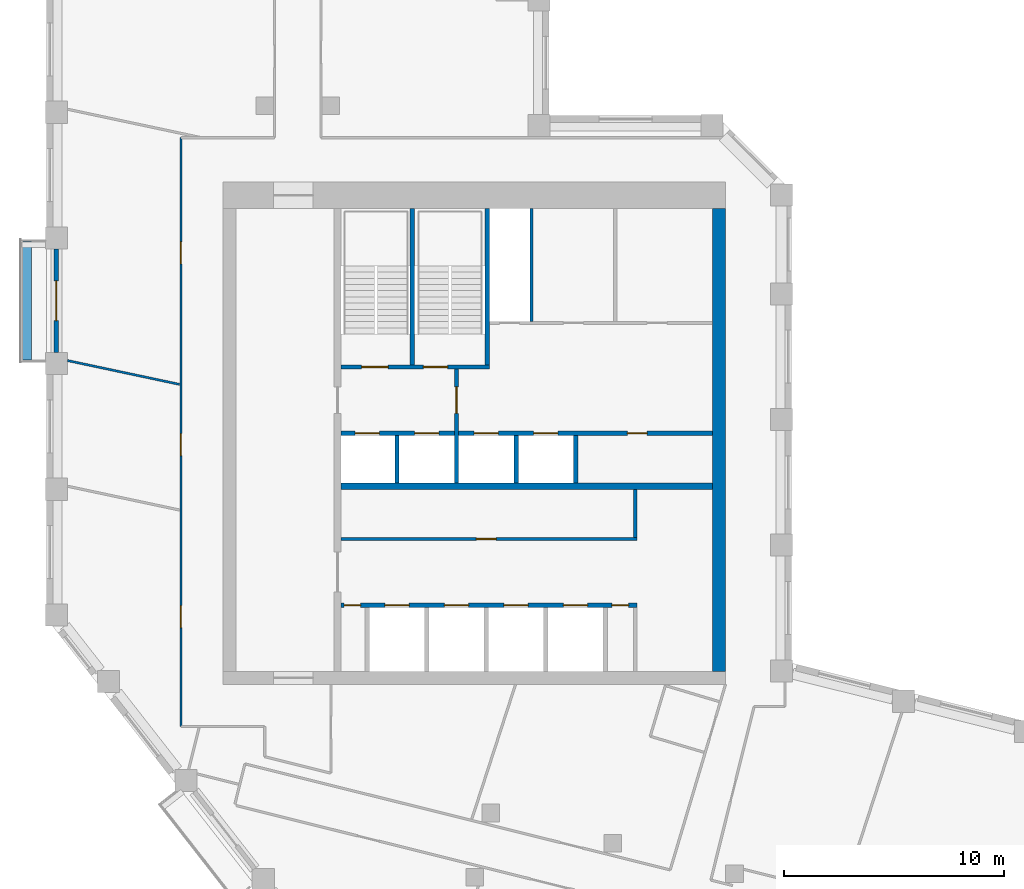
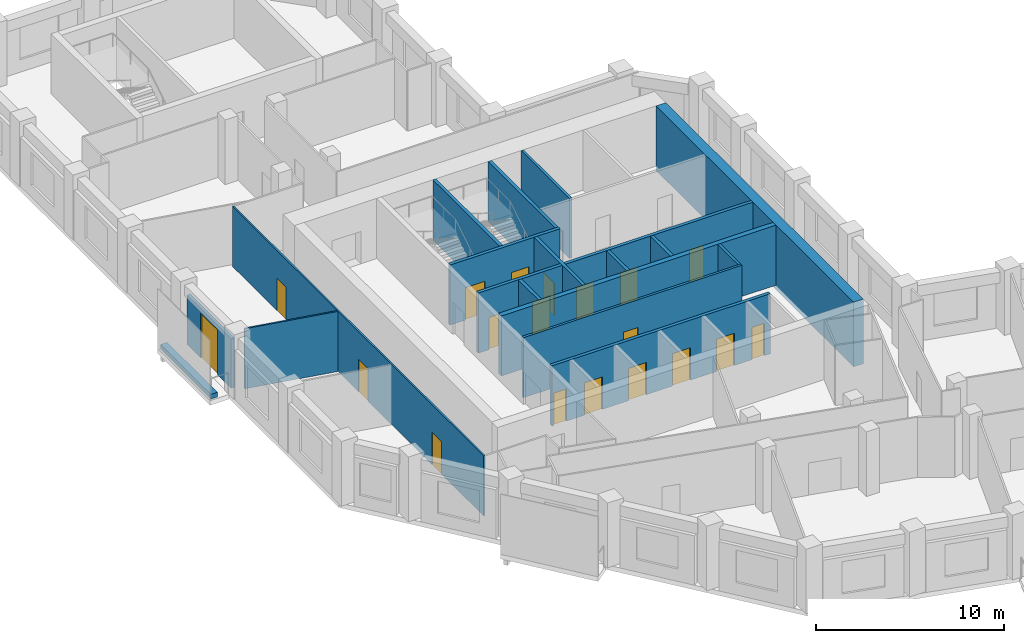
# One storey, part 5 of 9: 19 doors, 18 walls, 19 openings.
"""IFC4 building model written with IfcOpenShell, lengths in metres."""

from ifc_helpers import new_model, si_unit, direction, frame, frame_2d, origin, place, context, subcontext, project, spatial, rectangle, extrude, material, layer, layer_set, type_object, element, fill, save


model = new_model("IFC4")

# Units and contexts
model_context = context("Model", 3, precision=1e-05, world=origin(), true_north=direction((0.0, 1.0)))
body_context = subcontext(model_context, "Body", "Model", "MODEL_VIEW")
ifc_project = project(units=[si_unit("LENGTHUNIT", "METRE"), si_unit("AREAUNIT", "SQUARE_METRE"), si_unit("VOLUMEUNIT", "CUBIC_METRE"), si_unit("PLANEANGLEUNIT", "RADIAN"), si_unit("MASSUNIT", "GRAM", prefix="KILO")], contexts=[model_context])

# Site, building, storey
site_placement = place(None, origin())
site = spatial("IfcSite", under=ifc_project, at=site_placement, CompositionType="ELEMENT")
building_placement = place(site_placement, origin())
building = spatial("IfcBuilding", under=site, at=building_placement, Name="Meshkara Civic Tower", CompositionType="ELEMENT")
storey_placement = place(building_placement, frame((0.0, 0.0, 327.60009765625)))
storey = spatial("IfcBuildingStorey", under=building, at=storey_placement, Name="L75", CompositionType="ELEMENT", Elevation=327.60009765625)

# Wall, opening, door
ifc_material_1 = material(Name="Blockwork", Category="masonry")
ifc_layer_1 = layer(ifc_material_1, 0.14990234375)
ifc_layer_set_1 = layer_set([ifc_layer_1], Name="Core partition 150")
wall_type_1 = type_object("IfcWallType", Name="Core partition 150", PredefinedType="PARTITIONING", material=ifc_layer_set_1)
wall_1_placement = place(storey_placement, frame((13.35009765625, 20.699951171875, 0.0), z_axis=(0.0, 0.0, 1.0), x_axis=(1.0, 0.0, 0.0)))
wall_1 = element("IfcWall", 1, at=wall_1_placement, inside=storey, type_object=wall_type_1, Name="L75-C006", PredefinedType="PARTITIONING", context=body_context, shape_type="SweptSolid", body=[
    extrude(rectangle(XDim=13.4248046875, YDim=0.14990234375, at=frame_2d((6.71240234375, 0.0))), origin(), (0.0, 0.0, 1.0), 3.89990234375),
])
opening_1_placement = place(wall_1_placement, frame((6.14990234375, 0.0, 0.0)))
opening_1 = element("IfcOpeningElement", 2, at=opening_1_placement, cuts=wall_1, Name="Opening L75-K011", PredefinedType="OPENING", context=body_context, shape_type="SweptSolid", body=[
    extrude(rectangle(XDim=0.89990234375, YDim=2.10009765625, at=frame_2d((0.449951171875, 1.050048828125))), frame((0.0, 0.0849609375, 0.0), z_axis=(0.0, -1.0, 0.0), x_axis=(1.0, 0.0, 0.0)), (0.0, 0.0, 1.0), 0.169921875),
])
ifc_material_2 = material(Name="Timber door leaf in steel frame", Category="steel")
door_type_1 = type_object("IfcDoorType", Name="Core room door 900", OperationType="SINGLE_SWING_LEFT", PredefinedType="DOOR", material=ifc_material_2)
door_1_placement = place(opening_1_placement, origin())
door_1 = element("IfcDoor", 3, at=door_1_placement, inside=storey, type_object=door_type_1, Name="L75-K011", OperationType="SINGLE_SWING_RIGHT", OverallHeight=2.10009765625, OverallWidth=0.89990234375, PredefinedType="DOOR", context=body_context, shape_type="SweptSolid", body=[
    extrude(rectangle(XDim=0.89990234375, YDim=2.10009765625, at=frame_2d((0.449951171875, 1.050048828125))), frame((0.0, 0.02490234375, 0.0), z_axis=(0.0, -1.0, 0.0), x_axis=(1.0, 0.0, 0.0)), (0.0, 0.0, 1.0), 0.050048828125),
])
fill(opening_1, door_1)

# Walls
wall_2_placement = place(storey_placement, frame((22.0, 30.574951171875, 0.0), z_axis=(0.0, 0.0, 1.0), x_axis=(0.0, 1.0, 0.0)))
element("IfcWall", 4, at=wall_2_placement, inside=storey, type_object=wall_type_1, Name="L75-C020", PredefinedType="PARTITIONING", context=body_context, shape_type="SweptSolid", body=[
    extrude(rectangle(XDim=5.125, YDim=0.14990234375, at=frame_2d((2.5625, 0.0))), origin(), (0.0, 0.0, 1.0), 3.89990234375),
])
wall_3_placement = place(storey_placement, frame((26.699951171875, 20.77490234375, 0.0), z_axis=(0.0, 0.0, 1.0), x_axis=(0.0, 1.0, 0.0)))
element("IfcWall", 5, at=wall_3_placement, inside=storey, type_object=wall_type_1, Name="L75-C026", PredefinedType="PARTITIONING", context=body_context, shape_type="SweptSolid", body=[
    extrude(rectangle(XDim=2.175048828125, YDim=0.14990234375, at=frame_2d((1.08740234375, 0.0))), origin(), (0.0, 0.0, 1.0), 3.89990234375),
])
ifc_material_3 = material(Name="Concrete C60", Category="concrete")
ifc_layer_2 = layer(ifc_material_3, 0.60009765625)
ifc_layer_set_2 = layer_set([ifc_layer_2], Name="Core ring wall 600 C60")
wall_type_2 = type_object("IfcWallType", Name="Core ring wall 600 C60", PredefinedType="SHEAR", material=ifc_layer_set_2)
wall_4_placement = place(storey_placement, frame((30.5, 14.699951171875, -0.300048828125), z_axis=(0.0, 0.0, 1.0), x_axis=(0.0, 1.0, 0.0)))
element("IfcWall", 6, at=wall_4_placement, inside=storey, type_object=wall_type_2, Name="L75-C004", PredefinedType="SHEAR", context=body_context, shape_type="SweptSolid", body=[
    extrude(rectangle(XDim=21.0, YDim=0.60009765625, at=frame_2d((10.5, 0.0))), origin(), (0.0, 0.0, 1.0), 4.199951171875),
])
ifc_material_4 = material(Name="Concrete C60", Category="concrete")
ifc_layer_3 = layer(ifc_material_4, 0.300048828125)
ifc_layer_set_3 = layer_set([ifc_layer_3], Name="Core shear wall 300 C60")
wall_type_3 = type_object("IfcWallType", Name="Core shear wall 300 C60", PredefinedType="SHEAR", material=ifc_layer_set_3)
wall_5_placement = place(storey_placement, frame((13.35009765625, 23.10009765625, 0.0), z_axis=(0.0, 0.0, 1.0), x_axis=(1.0, 0.0, 0.0)))
element("IfcWall", 7, at=wall_5_placement, inside=storey, type_object=wall_type_3, Name="L75-C007", PredefinedType="SHEAR", context=body_context, shape_type="SweptSolid", body=[
    extrude(rectangle(XDim=16.849853515625, YDim=0.300048828125, at=frame_2d((8.4248046875, 0.0))), origin(), (0.0, 0.0, 1.0), 3.89990234375),
])

# Wall, openings, doors
ifc_material_5 = material(Name="Corridor wall 100")
ifc_layer_4 = layer(ifc_material_5, 0.10009765625)
ifc_layer_set_4 = layer_set([ifc_layer_4], Name="Corridor wall 100")
wall_type_4 = type_object("IfcWallType", Name="Corridor wall 100", PredefinedType="PARTITIONING", material=ifc_layer_set_4)
wall_6_placement = place(storey_placement, frame((6.10009765625, 12.199951171875, 0.0), z_axis=(0.0, 0.0, 1.0), x_axis=(0.0, 1.0, 0.0)))
wall_6 = element("IfcWall", 8, at=wall_6_placement, inside=storey, type_object=wall_type_4, Name="L75-W004", PredefinedType="PARTITIONING", context=body_context, shape_type="SweptSolid", body=[
    extrude(rectangle(XDim=26.699951171875, YDim=0.10009765625, at=frame_2d((13.35009765625, 0.0))), origin(), (0.0, 0.0, 1.0), 3.89990234375),
])
opening_2_placement = place(wall_6_placement, frame((4.47998046875, 0.0, 0.0)))
opening_2 = element("IfcOpeningElement", 9, at=opening_2_placement, cuts=wall_6, Name="Opening L75-D012", PredefinedType="OPENING", context=body_context, shape_type="SweptSolid", body=[
    extrude(rectangle(XDim=1.0, YDim=2.10009765625, at=frame_2d((0.5, 1.050048828125))), frame((0.0, 0.06005859375, 0.0), z_axis=(0.0, -1.0, 0.0), x_axis=(1.0, 0.0, 0.0)), (0.0, 0.0, 1.0), 0.1201171875),
])
opening_3_placement = place(wall_6_placement, frame((12.279052734375, 0.0, 0.0)))
opening_3 = element("IfcOpeningElement", 10, at=opening_3_placement, cuts=wall_6, Name="Opening L75-D015", PredefinedType="OPENING", context=body_context, shape_type="SweptSolid", body=[
    extrude(rectangle(XDim=1.0, YDim=2.10009765625, at=frame_2d((0.5, 1.050048828125))), frame((0.0, 0.06005859375, 0.0), z_axis=(0.0, -1.0, 0.0), x_axis=(1.0, 0.0, 0.0)), (0.0, 0.0, 1.0), 0.1201171875),
])
opening_4_placement = place(wall_6_placement, frame((20.97900390625, 0.0, 0.0)))
opening_4 = element("IfcOpeningElement", 11, at=opening_4_placement, cuts=wall_6, Name="Opening L75-D016", PredefinedType="OPENING", context=body_context, shape_type="SweptSolid", body=[
    extrude(rectangle(XDim=1.0, YDim=2.10009765625, at=frame_2d((0.5, 1.050048828125))), frame((0.0, 0.06005859375, 0.0), z_axis=(0.0, -1.0, 0.0), x_axis=(1.0, 0.0, 0.0)), (0.0, 0.0, 1.0), 0.1201171875),
])
ifc_material_6 = material(Name="Door 1000 x 2100")
door_type_2 = type_object("IfcDoorType", Name="Door 1000 x 2100", OperationType="SINGLE_SWING_LEFT", PredefinedType="DOOR", material=ifc_material_6)
door_2_placement = place(opening_2_placement, origin())
door_2 = element("IfcDoor", 12, at=door_2_placement, inside=storey, type_object=door_type_2, Name="L75-D012", OperationType="SINGLE_SWING_RIGHT", OverallHeight=2.10009765625, OverallWidth=1.0, PredefinedType="DOOR", context=body_context, shape_type="SweptSolid", body=[
    extrude(rectangle(XDim=1.0, YDim=2.10009765625, at=frame_2d((0.5, 1.050048828125))), frame((0.0, 0.02490234375, 0.0), z_axis=(0.0, -1.0, 0.0), x_axis=(1.0, 0.0, 0.0)), (0.0, 0.0, 1.0), 0.050048828125),
])
fill(opening_2, door_2)
door_3_placement = place(opening_3_placement, origin())
door_3 = element("IfcDoor", 13, at=door_3_placement, inside=storey, type_object=door_type_2, Name="L75-D015", OperationType="SINGLE_SWING_RIGHT", OverallHeight=2.10009765625, OverallWidth=1.0, PredefinedType="DOOR", context=body_context, shape_type="SweptSolid", body=[
    extrude(rectangle(XDim=1.0, YDim=2.10009765625, at=frame_2d((0.5, 1.050048828125))), frame((0.0, 0.02490234375, 0.0), z_axis=(0.0, -1.0, 0.0), x_axis=(1.0, 0.0, 0.0)), (0.0, 0.0, 1.0), 0.050048828125),
])
fill(opening_3, door_3)
door_4_placement = place(opening_4_placement, origin())
door_4 = element("IfcDoor", 14, at=door_4_placement, inside=storey, type_object=door_type_2, Name="L75-D016", OperationType="SINGLE_SWING_RIGHT", OverallHeight=2.10009765625, OverallWidth=1.0, PredefinedType="DOOR", context=body_context, shape_type="SweptSolid", body=[
    extrude(rectangle(XDim=1.0, YDim=2.10009765625, at=frame_2d((0.5, 1.050048828125))), frame((0.0, 0.02490234375, 0.0), z_axis=(0.0, -1.0, 0.0), x_axis=(1.0, 0.0, 0.0)), (0.0, 0.0, 1.0), 0.050048828125),
])
fill(opening_4, door_4)

# Wall, opening, door
ifc_material_7 = material(Name="Insulated infill panel with bronze anodised aluminium cladding", Category="aluminium")
ifc_layer_5 = layer(ifc_material_7, 0.199951171875)
ifc_layer_set_5 = layer_set([ifc_layer_5], Name="LOGGIA BACK WALL 200")
wall_type_5 = type_object("IfcWallType", Name="LOGGIA BACK WALL 200", PredefinedType="SOLIDWALL", material=ifc_layer_set_5)
wall_7_placement = place(storey_placement, frame((0.449951171875, 33.85498046875, 0.0), z_axis=(0.0, 0.0, 1.0), x_axis=(0.0, -1.0, 0.0)))
wall_7 = element("IfcWall", 15, at=wall_7_placement, inside=storey, type_object=wall_type_5, Name="Loggia wall", PredefinedType="SOLIDWALL", context=body_context, shape_type="SweptSolid", body=[
    extrude(rectangle(XDim=4.699951171875, YDim=0.199951171875, at=frame_2d((2.35009765625, 0.0))), origin(), (0.0, 0.0, 1.0), 3.199951171875),
])
opening_5_placement = place(wall_7_placement, frame((1.449951171875, 0.0, 0.0)))
opening_5 = element("IfcOpeningElement", 16, at=opening_5_placement, cuts=wall_7, Name="Opening L75-L001", PredefinedType="OPENING", context=body_context, shape_type="SweptSolid", body=[
    extrude(rectangle(XDim=1.800048828125, YDim=2.89990234375, at=frame_2d((0.89990234375, 1.449951171875))), frame((0.0, 0.10986328125, 0.0), z_axis=(0.0, -1.0, 0.0), x_axis=(1.0, 0.0, 0.0)), (0.0, 0.0, 1.0), 0.219970703125),
])
ifc_material_8 = material(Name="Tinted double glazing", Category="glass")
door_type_3 = type_object("IfcDoorType", Name="LOGGIA DOOR 1800x2900", OperationType="DOUBLE_DOOR_SINGLE_SWING", PredefinedType="DOOR", material=ifc_material_8)
door_5_placement = place(opening_5_placement, origin())
door_5 = element("IfcDoor", 17, at=door_5_placement, inside=storey, type_object=door_type_3, Name="L75-L001", OperationType="DOUBLE_DOOR_SINGLE_SWING", OverallHeight=2.89990234375, OverallWidth=1.800048828125, PredefinedType="DOOR", context=body_context, shape_type="SweptSolid", body=[
    extrude(rectangle(XDim=1.800048828125, YDim=2.89990234375, at=frame_2d((0.89990234375, 1.449951171875))), frame((0.0, 0.02490234375, 0.0), z_axis=(0.0, -1.0, 0.0), x_axis=(1.0, 0.0, 0.0)), (0.0, 0.0, 1.0), 0.050048828125),
])
fill(opening_5, door_5)

# Walls
ifc_material_9 = material(Name="Concrete C40", Category="concrete")
ifc_layer_6 = layer(ifc_material_9, 0.39990234375)
ifc_layer_set_6 = layer_set([ifc_layer_6], Name="PLANTER TRAY")
wall_type_6 = type_object("IfcWallType", Name="PLANTER TRAY", PredefinedType="SOLIDWALL", material=ifc_layer_set_6)
wall_8_placement = place(storey_placement, frame((-0.8798828125, 34.18505859375, 0.0), z_axis=(0.0, 0.0, 1.0), x_axis=(0.0, -1.0, 0.0)))
element("IfcWall", 18, at=wall_8_placement, inside=storey, type_object=wall_type_6, Name="Planter", PredefinedType="SOLIDWALL", context=body_context, shape_type="SweptSolid", body=[
    extrude(rectangle(XDim=5.360107421875, YDim=0.39990234375, at=frame_2d((2.68017578125, 0.0))), origin(), (0.0, 0.0, 1.0), 0.2998046875),
])
ifc_material_10 = material(Name="Partition 100")
ifc_layer_7 = layer(ifc_material_10, 0.10009765625)
ifc_layer_set_7 = layer_set([ifc_layer_7], Name="Partition 100")
wall_type_7 = type_object("IfcWallType", Name="Partition 100", PredefinedType="PARTITIONING", material=ifc_layer_set_7)
wall_9_placement = place(storey_placement, frame((6.0400390625, 27.7119140625, 0.0), z_axis=(0.0, 0.0, 1.0), x_axis=(-0.978143705428, 0.207930015946, 0.0)))
element("IfcWall", 19, at=wall_9_placement, inside=storey, type_object=wall_type_7, Name="L75-W044", PredefinedType="PARTITIONING", context=body_context, shape_type="SweptSolid", body=[
    extrude(rectangle(XDim=5.203857421875, YDim=0.10009765625, at=frame_2d((2.60205078125, 0.0))), origin(), (0.0, 0.0, 1.0), 3.89990234375),
])

# Wall, openings, doors
ifc_material_11 = material(Name="Concrete C40/50", Category="concrete")
ifc_layer_8 = layer(ifc_material_11, 0.199951171875)
ifc_layer_set_8 = layer_set([ifc_layer_8], Name="Shaft wall 200 C40/50")
wall_type_8 = type_object("IfcWallType", Name="Shaft wall 200 C40/50", PredefinedType="SOLIDWALL", material=ifc_layer_set_8)
wall_10_placement = place(storey_placement, frame((13.35009765625, 17.699951171875, 0.0), z_axis=(0.0, 0.0, 1.0), x_axis=(1.0, 0.0, 0.0)))
wall_10 = element("IfcWall", 20, at=wall_10_placement, inside=storey, type_object=wall_type_8, Name="L75-C005", PredefinedType="SOLIDWALL", context=body_context, shape_type="SweptSolid", body=[
    extrude(rectangle(XDim=13.4248046875, YDim=0.199951171875, at=frame_2d((6.71240234375, 0.0))), origin(), (0.0, 0.0, 1.0), 3.89990234375),
])
opening_6_placement = place(wall_10_placement, frame((2.0, 0.0, 0.0)))
opening_6 = element("IfcOpeningElement", 21, at=opening_6_placement, cuts=wall_10, Name="Opening L75-K001", PredefinedType="OPENING", context=body_context, shape_type="SweptSolid", body=[
    extrude(rectangle(XDim=1.10009765625, YDim=2.10009765625, at=frame_2d((0.550048828125, 1.050048828125))), frame((0.0, 0.10986328125, 0.0), z_axis=(0.0, -1.0, 0.0), x_axis=(1.0, 0.0, 0.0)), (0.0, 0.0, 1.0), 0.219970703125),
])
opening_7_placement = place(wall_10_placement, frame((4.699951171875, 0.0, 0.0)))
opening_7 = element("IfcOpeningElement", 22, at=opening_7_placement, cuts=wall_10, Name="Opening L75-K002", PredefinedType="OPENING", context=body_context, shape_type="SweptSolid", body=[
    extrude(rectangle(XDim=1.10009765625, YDim=2.10009765625, at=frame_2d((0.550048828125, 1.050048828125))), frame((0.0, 0.10986328125, 0.0), z_axis=(0.0, -1.0, 0.0), x_axis=(1.0, 0.0, 0.0)), (0.0, 0.0, 1.0), 0.219970703125),
])
opening_8_placement = place(wall_10_placement, frame((7.39990234375, 0.0, 0.0)))
opening_8 = element("IfcOpeningElement", 23, at=opening_8_placement, cuts=wall_10, Name="Opening L75-K003", PredefinedType="OPENING", context=body_context, shape_type="SweptSolid", body=[
    extrude(rectangle(XDim=1.10009765625, YDim=2.10009765625, at=frame_2d((0.550048828125, 1.050048828125))), frame((0.0, 0.10986328125, 0.0), z_axis=(0.0, -1.0, 0.0), x_axis=(1.0, 0.0, 0.0)), (0.0, 0.0, 1.0), 0.219970703125),
])
opening_9_placement = place(wall_10_placement, frame((10.10009765625, 0.0, 0.0)))
opening_9 = element("IfcOpeningElement", 24, at=opening_9_placement, cuts=wall_10, Name="Opening L75-K004", PredefinedType="OPENING", context=body_context, shape_type="SweptSolid", body=[
    extrude(rectangle(XDim=1.10009765625, YDim=2.10009765625, at=frame_2d((0.550048828125, 1.050048828125))), frame((0.0, 0.10986328125, 0.0), z_axis=(0.0, -1.0, 0.0), x_axis=(1.0, 0.0, 0.0)), (0.0, 0.0, 1.0), 0.219970703125),
])
opening_10_placement = place(wall_10_placement, frame((0.14990234375, 0.0, 0.0)))
opening_10 = element("IfcOpeningElement", 25, at=opening_10_placement, cuts=wall_10, Name="Opening L75-K009", PredefinedType="OPENING", context=body_context, shape_type="SweptSolid", body=[
    extrude(rectangle(XDim=0.75, YDim=2.10009765625, at=frame_2d((0.375, 1.050048828125))), frame((0.0, 0.10986328125, 0.0), z_axis=(0.0, -1.0, 0.0), x_axis=(1.0, 0.0, 0.0)), (0.0, 0.0, 1.0), 0.219970703125),
])
opening_11_placement = place(wall_10_placement, frame((12.300048828125, 0.0, 0.0)))
opening_11 = element("IfcOpeningElement", 26, at=opening_11_placement, cuts=wall_10, Name="Opening L75-K010", PredefinedType="OPENING", context=body_context, shape_type="SweptSolid", body=[
    extrude(rectangle(XDim=0.75, YDim=2.10009765625, at=frame_2d((0.375, 1.050048828125))), frame((0.0, 0.10986328125, 0.0), z_axis=(0.0, -1.0, 0.0), x_axis=(1.0, 0.0, 0.0)), (0.0, 0.0, 1.0), 0.219970703125),
])
ifc_material_12 = material(Name="Timber door leaf in steel frame", Category="steel")
door_type_4 = type_object("IfcDoorType", Name="Core room door 750", OperationType="SINGLE_SWING_LEFT", PredefinedType="DOOR", material=ifc_material_12)
door_6_placement = place(opening_10_placement, origin())
door_6 = element("IfcDoor", 27, at=door_6_placement, inside=storey, type_object=door_type_4, Name="L75-K009", OperationType="SINGLE_SWING_RIGHT", OverallHeight=2.10009765625, OverallWidth=0.75, PredefinedType="DOOR", context=body_context, shape_type="SweptSolid", body=[
    extrude(rectangle(XDim=0.75, YDim=2.10009765625, at=frame_2d((0.375, 1.050048828125))), frame((0.0, 0.02490234375, 0.0), z_axis=(0.0, -1.0, 0.0), x_axis=(1.0, 0.0, 0.0)), (0.0, 0.0, 1.0), 0.050048828125),
])
fill(opening_10, door_6)
door_7_placement = place(opening_11_placement, origin())
door_7 = element("IfcDoor", 28, at=door_7_placement, inside=storey, type_object=door_type_4, Name="L75-K010", OperationType="SINGLE_SWING_RIGHT", OverallHeight=2.10009765625, OverallWidth=0.75, PredefinedType="DOOR", context=body_context, shape_type="SweptSolid", body=[
    extrude(rectangle(XDim=0.75, YDim=2.10009765625, at=frame_2d((0.375, 1.050048828125))), frame((0.0, 0.02490234375, 0.0), z_axis=(0.0, -1.0, 0.0), x_axis=(1.0, 0.0, 0.0)), (0.0, 0.0, 1.0), 0.050048828125),
])
fill(opening_11, door_7)
ifc_material_13 = material(Name="Stainless steel landing door", Category="steel")
door_type_5 = type_object("IfcDoorType", Name="Lift landing door 1100", OperationType="SLIDING_TO_LEFT", PredefinedType="DOOR", material=ifc_material_13)
door_8_placement = place(opening_6_placement, origin())
door_8 = element("IfcDoor", 29, at=door_8_placement, inside=storey, type_object=door_type_5, Name="L75-K001", OperationType="SLIDING_TO_LEFT", OverallHeight=2.10009765625, OverallWidth=1.10009765625, PredefinedType="DOOR", context=body_context, shape_type="SweptSolid", body=[
    extrude(rectangle(XDim=1.10009765625, YDim=2.10009765625, at=frame_2d((0.550048828125, 1.050048828125))), frame((0.0, 0.02490234375, 0.0), z_axis=(0.0, -1.0, 0.0), x_axis=(1.0, 0.0, 0.0)), (0.0, 0.0, 1.0), 0.050048828125),
])
fill(opening_6, door_8)
door_9_placement = place(opening_7_placement, origin())
door_9 = element("IfcDoor", 30, at=door_9_placement, inside=storey, type_object=door_type_5, Name="L75-K002", OperationType="SLIDING_TO_LEFT", OverallHeight=2.10009765625, OverallWidth=1.10009765625, PredefinedType="DOOR", context=body_context, shape_type="SweptSolid", body=[
    extrude(rectangle(XDim=1.10009765625, YDim=2.10009765625, at=frame_2d((0.550048828125, 1.050048828125))), frame((0.0, 0.02490234375, 0.0), z_axis=(0.0, -1.0, 0.0), x_axis=(1.0, 0.0, 0.0)), (0.0, 0.0, 1.0), 0.050048828125),
])
fill(opening_7, door_9)
door_10_placement = place(opening_8_placement, origin())
door_10 = element("IfcDoor", 31, at=door_10_placement, inside=storey, type_object=door_type_5, Name="L75-K003", OperationType="SLIDING_TO_LEFT", OverallHeight=2.10009765625, OverallWidth=1.10009765625, PredefinedType="DOOR", context=body_context, shape_type="SweptSolid", body=[
    extrude(rectangle(XDim=1.10009765625, YDim=2.10009765625, at=frame_2d((0.550048828125, 1.050048828125))), frame((0.0, 0.02490234375, 0.0), z_axis=(0.0, -1.0, 0.0), x_axis=(1.0, 0.0, 0.0)), (0.0, 0.0, 1.0), 0.050048828125),
])
fill(opening_8, door_10)
door_11_placement = place(opening_9_placement, origin())
door_11 = element("IfcDoor", 32, at=door_11_placement, inside=storey, type_object=door_type_5, Name="L75-K004", OperationType="SLIDING_TO_LEFT", OverallHeight=2.10009765625, OverallWidth=1.10009765625, PredefinedType="DOOR", context=body_context, shape_type="SweptSolid", body=[
    extrude(rectangle(XDim=1.10009765625, YDim=2.10009765625, at=frame_2d((0.550048828125, 1.050048828125))), frame((0.0, 0.02490234375, 0.0), z_axis=(0.0, -1.0, 0.0), x_axis=(1.0, 0.0, 0.0)), (0.0, 0.0, 1.0), 0.050048828125),
])
fill(opening_9, door_11)

wall_11_placement = place(storey_placement, frame((13.35009765625, 25.5, 0.0), z_axis=(0.0, 0.0, 1.0), x_axis=(1.0, 0.0, 0.0)))
wall_11 = element("IfcWall", 33, at=wall_11_placement, inside=storey, type_object=wall_type_8, Name="L75-C008", PredefinedType="SOLIDWALL", context=body_context, shape_type="SweptSolid", body=[
    extrude(rectangle(XDim=16.849853515625, YDim=0.199951171875, at=frame_2d((8.4248046875, 0.0))), origin(), (0.0, 0.0, 1.0), 3.89990234375),
])
opening_12_placement = place(wall_11_placement, frame((0.64990234375, 0.0, 0.0)))
opening_12 = element("IfcOpeningElement", 34, at=opening_12_placement, cuts=wall_11, Name="Opening L75-K005", PredefinedType="OPENING", context=body_context, shape_type="SweptSolid", body=[
    extrude(rectangle(XDim=1.10009765625, YDim=2.10009765625, at=frame_2d((0.550048828125, 1.050048828125))), frame((0.0, 0.10986328125, 0.0), z_axis=(0.0, -1.0, 0.0), x_axis=(1.0, 0.0, 0.0)), (0.0, 0.0, 1.0), 0.219970703125),
])
opening_13_placement = place(wall_11_placement, frame((3.35009765625, 0.0, 0.0)))
opening_13 = element("IfcOpeningElement", 35, at=opening_13_placement, cuts=wall_11, Name="Opening L75-K006", PredefinedType="OPENING", context=body_context, shape_type="SweptSolid", body=[
    extrude(rectangle(XDim=1.10009765625, YDim=2.10009765625, at=frame_2d((0.550048828125, 1.050048828125))), frame((0.0, 0.10986328125, 0.0), z_axis=(0.0, -1.0, 0.0), x_axis=(1.0, 0.0, 0.0)), (0.0, 0.0, 1.0), 0.219970703125),
])
opening_14_placement = place(wall_11_placement, frame((6.050048828125, 0.0, 0.0)))
opening_14 = element("IfcOpeningElement", 36, at=opening_14_placement, cuts=wall_11, Name="Opening L75-K007", PredefinedType="OPENING", context=body_context, shape_type="SweptSolid", body=[
    extrude(rectangle(XDim=1.10009765625, YDim=2.10009765625, at=frame_2d((0.550048828125, 1.050048828125))), frame((0.0, 0.10986328125, 0.0), z_axis=(0.0, -1.0, 0.0), x_axis=(1.0, 0.0, 0.0)), (0.0, 0.0, 1.0), 0.219970703125),
])
opening_15_placement = place(wall_11_placement, frame((8.75, 0.0, 0.0)))
opening_15 = element("IfcOpeningElement", 37, at=opening_15_placement, cuts=wall_11, Name="Opening L75-K008", PredefinedType="OPENING", context=body_context, shape_type="SweptSolid", body=[
    extrude(rectangle(XDim=1.10009765625, YDim=2.10009765625, at=frame_2d((0.550048828125, 1.050048828125))), frame((0.0, 0.10986328125, 0.0), z_axis=(0.0, -1.0, 0.0), x_axis=(1.0, 0.0, 0.0)), (0.0, 0.0, 1.0), 0.219970703125),
])
opening_16_placement = place(wall_11_placement, frame((13.0, 0.0, 0.0)))
opening_16 = element("IfcOpeningElement", 38, at=opening_16_placement, cuts=wall_11, Name="Opening L75-K012", PredefinedType="OPENING", context=body_context, shape_type="SweptSolid", body=[
    extrude(rectangle(XDim=0.89990234375, YDim=2.10009765625, at=frame_2d((0.449951171875, 1.050048828125))), frame((0.0, 0.10986328125, 0.0), z_axis=(0.0, -1.0, 0.0), x_axis=(1.0, 0.0, 0.0)), (0.0, 0.0, 1.0), 0.219970703125),
])
door_12_placement = place(opening_16_placement, origin())
door_12 = element("IfcDoor", 39, at=door_12_placement, inside=storey, type_object=door_type_1, Name="L75-K012", OperationType="SINGLE_SWING_LEFT", OverallHeight=2.10009765625, OverallWidth=0.89990234375, PredefinedType="DOOR", context=body_context, shape_type="SweptSolid", body=[
    extrude(rectangle(XDim=0.89990234375, YDim=2.10009765625, at=frame_2d((0.449951171875, 1.050048828125))), frame((0.0, 0.02490234375, 0.0), z_axis=(0.0, -1.0, 0.0), x_axis=(1.0, 0.0, 0.0)), (0.0, 0.0, 1.0), 0.050048828125),
])
fill(opening_16, door_12)
door_13_placement = place(opening_12_placement, origin())
door_13 = element("IfcDoor", 40, at=door_13_placement, inside=storey, type_object=door_type_5, Name="L75-K005", OperationType="SLIDING_TO_LEFT", OverallHeight=2.10009765625, OverallWidth=1.10009765625, PredefinedType="DOOR", context=body_context, shape_type="SweptSolid", body=[
    extrude(rectangle(XDim=1.10009765625, YDim=2.10009765625, at=frame_2d((0.550048828125, 1.050048828125))), frame((0.0, 0.02490234375, 0.0), z_axis=(0.0, -1.0, 0.0), x_axis=(1.0, 0.0, 0.0)), (0.0, 0.0, 1.0), 0.050048828125),
])
fill(opening_12, door_13)
door_14_placement = place(opening_13_placement, origin())
door_14 = element("IfcDoor", 41, at=door_14_placement, inside=storey, type_object=door_type_5, Name="L75-K006", OperationType="SLIDING_TO_LEFT", OverallHeight=2.10009765625, OverallWidth=1.10009765625, PredefinedType="DOOR", context=body_context, shape_type="SweptSolid", body=[
    extrude(rectangle(XDim=1.10009765625, YDim=2.10009765625, at=frame_2d((0.550048828125, 1.050048828125))), frame((0.0, 0.02490234375, 0.0), z_axis=(0.0, -1.0, 0.0), x_axis=(1.0, 0.0, 0.0)), (0.0, 0.0, 1.0), 0.050048828125),
])
fill(opening_13, door_14)
door_15_placement = place(opening_14_placement, origin())
door_15 = element("IfcDoor", 42, at=door_15_placement, inside=storey, type_object=door_type_5, Name="L75-K007", OperationType="SLIDING_TO_LEFT", OverallHeight=2.10009765625, OverallWidth=1.10009765625, PredefinedType="DOOR", context=body_context, shape_type="SweptSolid", body=[
    extrude(rectangle(XDim=1.10009765625, YDim=2.10009765625, at=frame_2d((0.550048828125, 1.050048828125))), frame((0.0, 0.02490234375, 0.0), z_axis=(0.0, -1.0, 0.0), x_axis=(1.0, 0.0, 0.0)), (0.0, 0.0, 1.0), 0.050048828125),
])
fill(opening_14, door_15)
door_16_placement = place(opening_15_placement, origin())
door_16 = element("IfcDoor", 43, at=door_16_placement, inside=storey, type_object=door_type_5, Name="L75-K008", OperationType="SLIDING_TO_LEFT", OverallHeight=2.10009765625, OverallWidth=1.10009765625, PredefinedType="DOOR", context=body_context, shape_type="SweptSolid", body=[
    extrude(rectangle(XDim=1.10009765625, YDim=2.10009765625, at=frame_2d((0.550048828125, 1.050048828125))), frame((0.0, 0.02490234375, 0.0), z_axis=(0.0, -1.0, 0.0), x_axis=(1.0, 0.0, 0.0)), (0.0, 0.0, 1.0), 0.050048828125),
])
fill(opening_15, door_16)

# Wall
wall_12_placement = place(storey_placement, frame((15.89990234375, 23.25, 0.0), z_axis=(0.0, 0.0, 1.0), x_axis=(0.0, 1.0, 0.0)))
element("IfcWall", 44, at=wall_12_placement, inside=storey, type_object=wall_type_8, Name="L75-C013", PredefinedType="SOLIDWALL", context=body_context, shape_type="SweptSolid", body=[
    extrude(rectangle(XDim=2.14990234375, YDim=0.199951171875, at=frame_2d((1.074951171875, 0.0))), origin(), (0.0, 0.0, 1.0), 3.89990234375),
])

# Wall, opening, door
wall_13_placement = place(storey_placement, frame((18.60009765625, 23.25, 0.0), z_axis=(0.0, 0.0, 1.0), x_axis=(0.0, 1.0, 0.0)))
wall_13 = element("IfcWall", 45, at=wall_13_placement, inside=storey, type_object=wall_type_8, Name="L75-C016", PredefinedType="SOLIDWALL", context=body_context, shape_type="SweptSolid", body=[
    extrude(rectangle(XDim=5.14990234375, YDim=0.199951171875, at=frame_2d((2.574951171875, 0.0))), origin(), (0.0, 0.0, 1.0), 3.89990234375),
])
opening_17_placement = place(wall_13_placement, frame((3.14990234375, 0.0, 0.0)))
opening_17 = element("IfcOpeningElement", 46, at=opening_17_placement, cuts=wall_13, Name="Opening L75-K020", PredefinedType="OPENING", context=body_context, shape_type="SweptSolid", body=[
    extrude(rectangle(XDim=1.199951171875, YDim=2.10009765625, at=frame_2d((0.60009765625, 1.050048828125))), frame((0.0, 0.10986328125, 0.0), z_axis=(0.0, -1.0, 0.0), x_axis=(1.0, 0.0, 0.0)), (0.0, 0.0, 1.0), 0.219970703125),
])
ifc_material_14 = material(Name="Fire-rated door leaf in steel frame", Category="steel")
door_type_6 = type_object("IfcDoorType", Name="Fire-fighting lobby door 1200 EI 120", OperationType="SINGLE_SWING_LEFT", PredefinedType="DOOR", material=ifc_material_14)
door_17_placement = place(opening_17_placement, origin())
door_17 = element("IfcDoor", 47, at=door_17_placement, inside=storey, type_object=door_type_6, Name="L75-K020", OperationType="SINGLE_SWING_RIGHT", OverallHeight=2.10009765625, OverallWidth=1.199951171875, PredefinedType="DOOR", context=body_context, shape_type="SweptSolid", body=[
    extrude(rectangle(XDim=1.199951171875, YDim=2.10009765625, at=frame_2d((0.60009765625, 1.050048828125))), frame((0.0, 0.02490234375, 0.0), z_axis=(0.0, -1.0, 0.0), x_axis=(1.0, 0.0, 0.0)), (0.0, 0.0, 1.0), 0.050048828125),
])
fill(opening_17, door_17)

# Walls
for number, where, z_axis, x_axis, name in (
    (48, (21.300048828125, 23.25, 0.0), (0.0, 0.0, 1.0), (0.0, 1.0, 0.0), "L75-C019"),
    (49, (24.0, 23.25, 0.0), (0.0, 0.0, 1.0), (0.0, 1.0, 0.0), "L75-C022"),
):
    element("IfcWall", number, at=place(storey_placement, frame(where, z_axis=z_axis, x_axis=x_axis)), inside=storey, type_object=wall_type_8, Name=name, PredefinedType="SOLIDWALL", context=body_context, shape_type="SweptSolid", body=[
        extrude(rectangle(XDim=2.14990234375, YDim=0.199951171875, at=frame_2d((1.074951171875, 0.0))), origin(), (0.0, 0.0, 1.0), 3.89990234375),
    ])

# Wall, openings, doors
ifc_material_15 = material(Name="Concrete C40/50", Category="concrete")
ifc_layer_9 = layer(ifc_material_15, 0.199951171875)
ifc_layer_set_9 = layer_set([ifc_layer_9], Name="Stair enclosure wall 200 C40/50")
wall_type_9 = type_object("IfcWallType", Name="Stair enclosure wall 200 C40/50", PredefinedType="SOLIDWALL", material=ifc_layer_set_9)
wall_14_placement = place(storey_placement, frame((13.35009765625, 28.5, 0.0), z_axis=(0.0, 0.0, 1.0), x_axis=(1.0, 0.0, 0.0)))
wall_14 = element("IfcWall", 50, at=wall_14_placement, inside=storey, type_object=wall_type_9, Name="L75-C009", PredefinedType="SOLIDWALL", context=body_context, shape_type="SweptSolid", body=[
    extrude(rectangle(XDim=6.75, YDim=0.199951171875, at=frame_2d((3.375, 0.0))), origin(), (0.0, 0.0, 1.0), 3.89990234375),
])
opening_18_placement = place(wall_14_placement, frame((0.949951171875, 0.0, 0.0)))
opening_18 = element("IfcOpeningElement", 51, at=opening_18_placement, cuts=wall_14, Name="Opening L75-K016", PredefinedType="OPENING", context=body_context, shape_type="SweptSolid", body=[
    extrude(rectangle(XDim=1.199951171875, YDim=2.10009765625, at=frame_2d((0.60009765625, 1.050048828125))), frame((0.0, 0.10986328125, 0.0), z_axis=(0.0, -1.0, 0.0), x_axis=(1.0, 0.0, 0.0)), (0.0, 0.0, 1.0), 0.219970703125),
])
opening_19_placement = place(wall_14_placement, frame((3.75, 0.0, 0.0)))
opening_19 = element("IfcOpeningElement", 52, at=opening_19_placement, cuts=wall_14, Name="Opening L75-K017", PredefinedType="OPENING", context=body_context, shape_type="SweptSolid", body=[
    extrude(rectangle(XDim=1.10009765625, YDim=2.10009765625, at=frame_2d((0.550048828125, 1.050048828125))), frame((0.0, 0.10986328125, 0.0), z_axis=(0.0, -1.0, 0.0), x_axis=(1.0, 0.0, 0.0)), (0.0, 0.0, 1.0), 0.219970703125),
])
ifc_material_16 = material(Name="Fire-rated door leaf in steel frame", Category="steel")
door_type_7 = type_object("IfcDoorType", Name="Stair door 1100 EI 120", OperationType="SINGLE_SWING_LEFT", PredefinedType="DOOR", material=ifc_material_16)
door_18_placement = place(opening_19_placement, origin())
door_18 = element("IfcDoor", 53, at=door_18_placement, inside=storey, type_object=door_type_7, Name="L75-K017", OperationType="SINGLE_SWING_LEFT", OverallHeight=2.10009765625, OverallWidth=1.10009765625, PredefinedType="DOOR", context=body_context, shape_type="SweptSolid", body=[
    extrude(rectangle(XDim=1.10009765625, YDim=2.10009765625, at=frame_2d((0.550048828125, 1.050048828125))), frame((0.0, 0.02490234375, 0.0), z_axis=(0.0, -1.0, 0.0), x_axis=(1.0, 0.0, 0.0)), (0.0, 0.0, 1.0), 0.050048828125),
])
fill(opening_19, door_18)
ifc_material_17 = material(Name="Fire-rated door leaf in steel frame", Category="steel")
door_type_8 = type_object("IfcDoorType", Name="Stair door 1200 EI 120", OperationType="SINGLE_SWING_LEFT", PredefinedType="DOOR", material=ifc_material_17)
door_19_placement = place(opening_18_placement, origin())
door_19 = element("IfcDoor", 54, at=door_19_placement, inside=storey, type_object=door_type_8, Name="L75-K016", OperationType="SINGLE_SWING_RIGHT", OverallHeight=2.10009765625, OverallWidth=1.199951171875, PredefinedType="DOOR", context=body_context, shape_type="SweptSolid", body=[
    extrude(rectangle(XDim=1.199951171875, YDim=2.10009765625, at=frame_2d((0.60009765625, 1.050048828125))), frame((0.0, 0.02490234375, 0.0), z_axis=(0.0, -1.0, 0.0), x_axis=(1.0, 0.0, 0.0)), (0.0, 0.0, 1.0), 0.050048828125),
])
fill(opening_18, door_19)

# Walls
for number, where, z_axis, x_axis, name in (
    (55, (16.60009765625, 28.60009765625, 0.0), (0.0, 0.0, 1.0), (0.0, 1.0, 0.0), "L75-C014"),
    (56, (20.0, 28.60009765625, 0.0), (0.0, 0.0, 1.0), (0.0, 1.0, 0.0), "L75-C018"),
):
    element("IfcWall", number, at=place(storey_placement, frame(where, z_axis=z_axis, x_axis=x_axis)), inside=storey, type_object=wall_type_9, Name=name, PredefinedType="SOLIDWALL", context=body_context, shape_type="SweptSolid", body=[
        extrude(rectangle(XDim=7.099853515625, YDim=0.199951171875, at=frame_2d((3.5498046875, 0.0))), origin(), (0.0, 0.0, 1.0), 3.89990234375),
    ])

save(model, "model.ifc")
